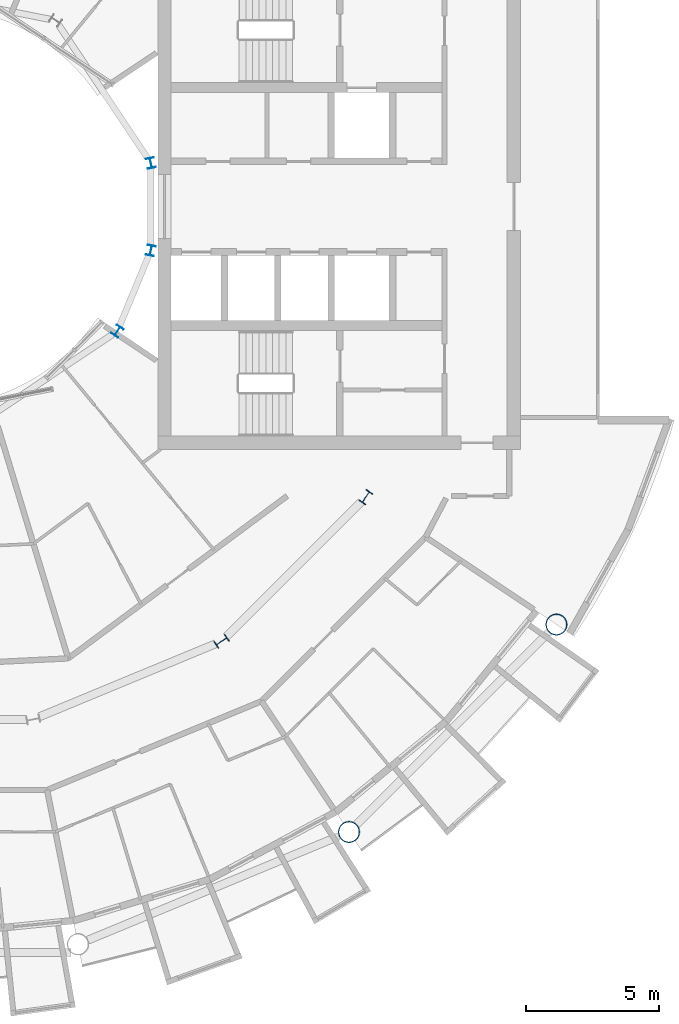
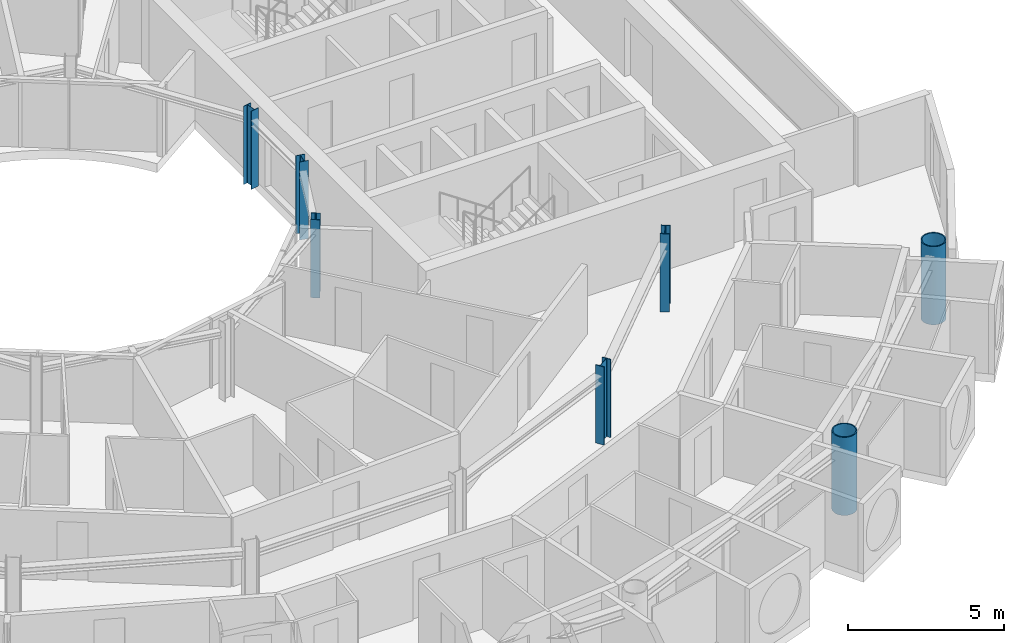
# One storey, part 2 of 27: 7 columns.
"""IFC4 building model written with IfcOpenShell, lengths in metres."""

from ifc_helpers import new_model, si_unit, direction, frame, origin, origin_2d, place, context, subcontext, project, spatial, hollow_circle, i_section, extrude, material, material_profile, profile_set, type_object, element, save


model = new_model("IFC4")

# Units and contexts
model_context = context("Model", 3, precision=1e-05, world=origin(), true_north=direction((0.0, 1.0)))
body_context = subcontext(model_context, "Body", "Model", "MODEL_VIEW")
ifc_project = project(units=[si_unit("LENGTHUNIT", "METRE"), si_unit("AREAUNIT", "SQUARE_METRE"), si_unit("VOLUMEUNIT", "CUBIC_METRE"), si_unit("PLANEANGLEUNIT", "RADIAN"), si_unit("MASSUNIT", "GRAM", prefix="KILO")], contexts=[model_context])

# Site, building, storey
site_placement = place(None, origin())
site = spatial("IfcSite", under=ifc_project, at=site_placement, CompositionType="ELEMENT")
building_placement = place(site_placement, origin())
building = spatial("IfcBuilding", under=site, at=building_placement, Name="Maasbend Ring Residences", CompositionType="ELEMENT")
storey_placement = place(building_placement, frame((0.0, 0.0, 170.75)))
storey = spatial("IfcBuildingStorey", under=building, at=storey_placement, Name="L49", CompositionType="ELEMENT", Elevation=170.75)

# Columns
ifc_material_1 = material(Name="Composite concrete-filled steel tube S460NH / C80/95", Category="concrete")
ifc_material_profile_1 = material_profile(ifc_material_1, hollow_circle(Radius=0.406494140625, WallThickness=0.0400390625, at=origin_2d()), Name="Composite tube column CHS 813x40")
ifc_profile_set_1 = profile_set([ifc_material_profile_1], Name="Composite concrete-filled steel tube S460NH / C80/95")
column_type_1 = type_object("IfcColumnType", Name="Composite tube column CHS 813x40", PredefinedType="COLUMN", material=ifc_profile_set_1)
for number, where, z_axis, x_axis, name in (
    (1, (15.6669921875, -23.447509765625, 0.0), (0.0, 0.0, 1.0), (1.0, 0.0, 0.0), "Outer column R14"),
    (2, (23.447509765625, -15.6669921875, 0.0), (0.0, 0.0, 1.0), (1.0, 0.0, 0.0), "Outer column R15"),
):
    element("IfcColumn", number, at=place(storey_placement, frame(where, z_axis=z_axis, x_axis=x_axis)), inside=storey, type_object=column_type_1, Name=name, PredefinedType="COLUMN", context=body_context, shape_type="SweptSolid", body=[
        extrude(hollow_circle(Radius=0.406494140625, WallThickness=0.0400390625, at=origin_2d()), origin(), (0.0, 0.0, 1.0), 3.050048828125),
    ])
ifc_material_2 = material(Name="Steel S355J2", Category="steel")
ifc_material_profile_2 = material_profile(ifc_material_2, i_section(OverallWidth=0.300048828125, OverallDepth=0.389892578125, WebThickness=0.010986328125, FlangeThickness=0.01904296875, FilletRadius=0.027099609375, at=origin_2d()), Name="HEA 400")
ifc_profile_set_2 = profile_set([ifc_material_profile_2], Name="Steel S355J2")
column_type_2 = type_object("IfcColumnType", Name="Steel column HEA 400", PredefinedType="COLUMN", material=ifc_profile_set_2)
for number, where, z_axis, x_axis, name in (
    (3, (8.238525390625, 1.638916015625, 0.0), (0.0, 0.0, 1.0), (0.980785280403, 0.195090322016, 0.0), "Well ring column R1"),
    (4, (6.984375, -4.666748046875, 0.0), (0.0, 0.0, 1.0), (0.831469612303, -0.55557023302, 0.0), "Well ring column R15"),
    (5, (8.238525390625, -1.638916015625, 0.0), (0.0, 0.0, 1.0), (0.980785280403, -0.195090322016, 0.0), "Well ring column R16"),
):
    element("IfcColumn", number, at=place(storey_placement, frame(where, z_axis=z_axis, x_axis=x_axis)), inside=storey, type_object=column_type_2, Name=name, PredefinedType="COLUMN", context=body_context, shape_type="SweptSolid", body=[
        extrude(i_section(OverallWidth=0.300048828125, OverallDepth=0.389892578125, WebThickness=0.010986328125, FlangeThickness=0.01904296875, FilletRadius=0.027099609375, at=origin_2d()), origin(), (0.0, 0.0, 1.0), 3.050048828125),
    ])
ifc_material_3 = material(Name="Steel S355J2", Category="steel")
ifc_material_profile_3 = material_profile(ifc_material_3, i_section(OverallWidth=0.300048828125, OverallDepth=0.5, WebThickness=0.014404296875, FlangeThickness=0.028076171875, FilletRadius=0.027099609375, at=origin_2d()), Name="HEB 500")
ifc_profile_set_3 = profile_set([ifc_material_profile_3], Name="Steel S355J2")
column_type_3 = type_object("IfcColumnType", Name="Steel column HEB 500", PredefinedType="COLUMN", material=ifc_profile_set_3)
for number, where, z_axis, x_axis, name in (
    (6, (10.88916015625, -16.296875, 0.0), (0.0, 0.0, 1.0), (0.55557023302, -0.831469612303, 0.0), "Corridor ring column R14"),
    (7, (16.296875, -10.88916015625, 0.0), (0.0, 0.0, 1.0), (0.831469612303, -0.55557023302, 0.0), "Corridor ring column R15"),
):
    element("IfcColumn", number, at=place(storey_placement, frame(where, z_axis=z_axis, x_axis=x_axis)), inside=storey, type_object=column_type_3, Name=name, PredefinedType="COLUMN", context=body_context, shape_type="SweptSolid", body=[
        extrude(i_section(OverallWidth=0.300048828125, OverallDepth=0.5, WebThickness=0.014404296875, FlangeThickness=0.028076171875, FilletRadius=0.027099609375, at=origin_2d()), origin(), (0.0, 0.0, 1.0), 3.050048828125),
    ])

save(model, "model.ifc")
